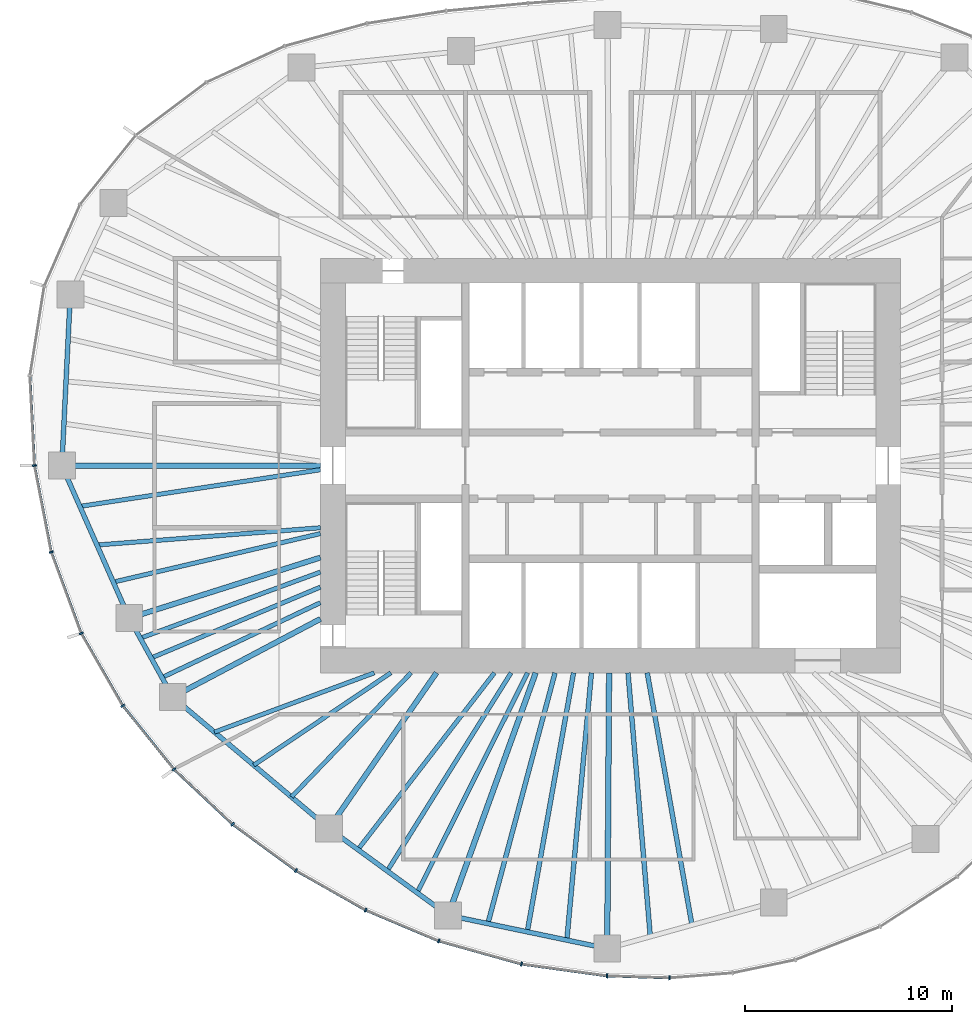
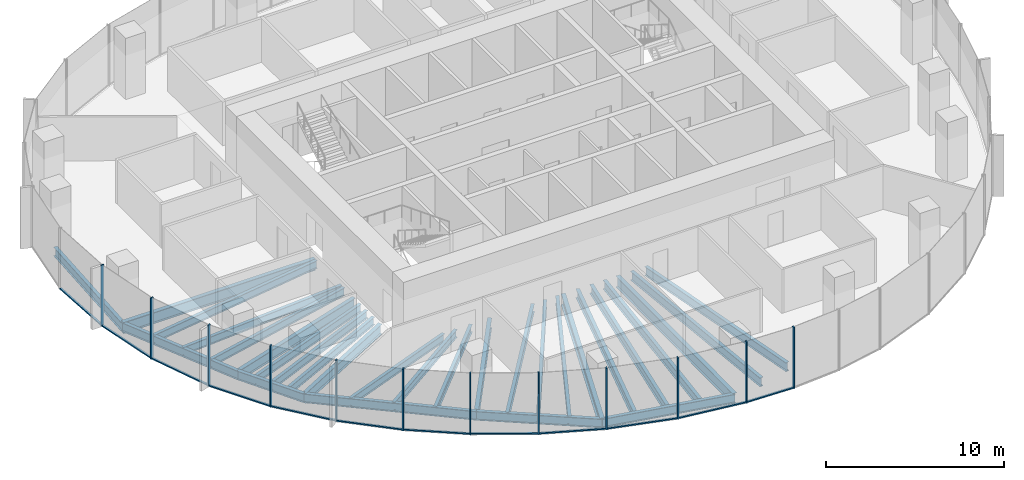
# One storey, part 2 of 11: 29 beams, 24 members, 7 elements without a shape of their own.
"""IFC4 building model written with IfcOpenShell, lengths in metres."""

from ifc_helpers import new_model, si_unit, direction, frame, origin, origin_2d, place, context, subcontext, project, spatial, rectangle, i_section, extrude, material, material_profile, profile_set, type_object, element, aggregate, save


model = new_model("IFC4")

# Units and contexts
model_context = context("Model", 3, precision=1e-05, world=origin(), true_north=direction((0.0, 1.0)))
body_context = subcontext(model_context, "Body", "Model", "MODEL_VIEW")
ifc_project = project(units=[si_unit("LENGTHUNIT", "METRE"), si_unit("AREAUNIT", "SQUARE_METRE"), si_unit("VOLUMEUNIT", "CUBIC_METRE"), si_unit("PLANEANGLEUNIT", "RADIAN"), si_unit("MASSUNIT", "GRAM", prefix="KILO")], contexts=[model_context])

# Site, building, storey
site_placement = place(None, origin())
site = spatial("IfcSite", under=ifc_project, at=site_placement, CompositionType="ELEMENT")
building_placement = place(site_placement, origin())
building = spatial("IfcBuilding", under=site, at=building_placement, Name="Ghaith Harvest Tower", CompositionType="ELEMENT")
storey_placement = place(building_placement, frame((0.0, 0.0, 220.0)))
storey = spatial("IfcBuildingStorey", under=building, at=storey_placement, Name="L48", CompositionType="ELEMENT", Elevation=220.0)

# Curtain wall, members
ifc_material_1 = material(Name="Black anodised aluminium and fritted glass", Category="aluminium")
curtain_wall_type = type_object("IfcCurtainWallType", Name="CW-H CURTAIN WALL", PredefinedType="NOTDEFINED", material=ifc_material_1)
curtain_wall_1_placement = place(storey_placement, origin())
curtain_wall_1 = element("IfcCurtainWall", 1, at=curtain_wall_1_placement, inside=storey, type_object=curtain_wall_type, Name="Curtain wall CW-H bay 11 L48", PredefinedType="NOTDEFINED")
ifc_material_2 = material(Name="Aluminium, black anodised", Category="aluminium")
ifc_material_profile_1 = material_profile(ifc_material_2, rectangle(XDim=0.080078125, YDim=0.199951171875, at=origin_2d()), Name="CW-H MULLION 80x200")
ifc_profile_set_1 = profile_set([ifc_material_profile_1], Name="Aluminium, black anodised")
member_type_1 = type_object("IfcMemberType", Name="CW-H MULLION 80x200", PredefinedType="MULLION", material=ifc_profile_set_1)
member_1_placement = place(storey_placement, frame((-27.794921875, 0.0, 0.0), z_axis=(0.0, 0.0, 1.0), x_axis=(0.12024996575, -0.992743645528, 0.0)))
member_1 = element("IfcMember", 2, at=member_1_placement, type_object=member_type_1, Name="CW-H mullion 1 bay 11 L48", PredefinedType="MULLION", context=body_context, shape_type="SweptSolid", body=[
    extrude(rectangle(XDim=0.080078125, YDim=0.199951171875, at=origin_2d()), origin(), (0.0, 0.0, 1.0), 4.199951171875),
])
member_2_placement = place(storey_placement, frame((-26.9853515625, -4.173828125, 0.0), z_axis=(0.0, 0.0, 1.0), x_axis=(0.268568830903, -0.963260495955, 0.0)))
member_2 = element("IfcMember", 3, at=member_2_placement, type_object=member_type_1, Name="CW-H mullion 2 bay 11 L48", PredefinedType="MULLION", context=body_context, shape_type="SweptSolid", body=[
    extrude(rectangle(XDim=0.080078125, YDim=0.199951171875, at=origin_2d()), origin(), (0.0, 0.0, 1.0), 4.199951171875),
])

curtain_wall_2_placement = place(storey_placement, origin())
curtain_wall_2 = element("IfcCurtainWall", 4, at=curtain_wall_2_placement, inside=storey, type_object=curtain_wall_type, Name="Curtain wall CW-H bay 12 L48", PredefinedType="NOTDEFINED")
member_3_placement = place(storey_placement, frame((-25.538330078125, -8.093505859375, 0.0), z_axis=(0.0, 0.0, 1.0), x_axis=(0.422308650185, -0.906452096903, 0.0)))
member_3 = element("IfcMember", 5, at=member_3_placement, type_object=member_type_1, Name="CW-H mullion 1 bay 12 L48", PredefinedType="MULLION", context=body_context, shape_type="SweptSolid", body=[
    extrude(rectangle(XDim=0.080078125, YDim=0.199951171875, at=origin_2d()), origin(), (0.0, 0.0, 1.0), 4.199951171875),
])
member_4_placement = place(storey_placement, frame((-23.533203125, -11.58349609375, 0.0), z_axis=(0.0, 0.0, 1.0), x_axis=(0.563616546013, -0.826036554312, 0.0)))
member_4 = element("IfcMember", 6, at=member_4_placement, type_object=member_type_1, Name="CW-H mullion 2 bay 12 L48", PredefinedType="MULLION", context=body_context, shape_type="SweptSolid", body=[
    extrude(rectangle(XDim=0.080078125, YDim=0.199951171875, at=origin_2d()), origin(), (0.0, 0.0, 1.0), 4.199951171875),
])

curtain_wall_3_placement = place(storey_placement, origin())
curtain_wall_3 = element("IfcCurtainWall", 7, at=curtain_wall_3_placement, inside=storey, type_object=curtain_wall_type, Name="Curtain wall CW-H bay 13 L48", PredefinedType="NOTDEFINED")
member_5_placement = place(storey_placement, frame((-21.0615234375, -14.65478515625, 0.0), z_axis=(0.0, 0.0, 1.0), x_axis=(0.679181589754, -0.733970277422, 0.0)))
member_5 = element("IfcMember", 8, at=member_5_placement, type_object=member_type_1, Name="CW-H mullion 1 bay 13 L48", PredefinedType="MULLION", context=body_context, shape_type="SweptSolid", body=[
    extrude(rectangle(XDim=0.080078125, YDim=0.199951171875, at=origin_2d()), origin(), (0.0, 0.0, 1.0), 4.199951171875),
])
member_6_placement = place(storey_placement, frame((-18.238037109375, -17.30615234375, 0.0), z_axis=(0.0, 0.0, 1.0), x_axis=(0.769216709506, -0.638987991919, 0.0)))
member_6 = element("IfcMember", 9, at=member_6_placement, type_object=member_type_1, Name="CW-H mullion 2 bay 13 L48", PredefinedType="MULLION", context=body_context, shape_type="SweptSolid", body=[
    extrude(rectangle(XDim=0.080078125, YDim=0.199951171875, at=origin_2d()), origin(), (0.0, 0.0, 1.0), 4.199951171875),
])

curtain_wall_4_placement = place(storey_placement, origin())
curtain_wall_4 = element("IfcCurtainWall", 10, at=curtain_wall_4_placement, inside=storey, type_object=curtain_wall_type, Name="Curtain wall CW-H bay 14 L48", PredefinedType="NOTDEFINED")
member_7_placement = place(storey_placement, frame((-15.177490234375, -19.542724609375, 0.0), z_axis=(0.0, 0.0, 1.0), x_axis=(0.840233591157, -0.5422245958, 0.0)))
member_7 = element("IfcMember", 11, at=member_7_placement, type_object=member_type_1, Name="CW-H mullion 1 bay 14 L48", PredefinedType="MULLION", context=body_context, shape_type="SweptSolid", body=[
    extrude(rectangle(XDim=0.080078125, YDim=0.199951171875, at=origin_2d()), origin(), (0.0, 0.0, 1.0), 4.199951171875),
])
member_8_placement = place(storey_placement, frame((-11.815185546875, -21.45068359375, 0.0), z_axis=(0.0, 0.0, 1.0), x_axis=(0.896852966189, -0.442328788389, 0.0)))
member_8 = element("IfcMember", 12, at=member_8_placement, type_object=member_type_1, Name="CW-H mullion 2 bay 14 L48", PredefinedType="MULLION", context=body_context, shape_type="SweptSolid", body=[
    extrude(rectangle(XDim=0.080078125, YDim=0.199951171875, at=origin_2d()), origin(), (0.0, 0.0, 1.0), 4.199951171875),
])

curtain_wall_5_placement = place(storey_placement, origin())
curtain_wall_5 = element("IfcCurtainWall", 13, at=curtain_wall_5_placement, inside=storey, type_object=curtain_wall_type, Name="Curtain wall CW-H bay 15 L48", PredefinedType="NOTDEFINED")
member_9_placement = place(storey_placement, frame((-8.285888671875, -22.941650390625, 0.0), z_axis=(0.0, 0.0, 1.0), x_axis=(0.944906041636, -0.327341675439, 0.0)))
member_9 = element("IfcMember", 14, at=member_9_placement, type_object=member_type_1, Name="CW-H mullion 1 bay 15 L48", PredefinedType="MULLION", context=body_context, shape_type="SweptSolid", body=[
    extrude(rectangle(XDim=0.080078125, YDim=0.199951171875, at=origin_2d()), origin(), (0.0, 0.0, 1.0), 4.199951171875),
])
member_10_placement = place(storey_placement, frame((-4.2958984375, -24.0556640625, 0.0), z_axis=(0.0, 0.0, 1.0), x_axis=(0.979161388311, -0.203083666601, 0.0)))
member_10 = element("IfcMember", 15, at=member_10_placement, type_object=member_type_1, Name="CW-H mullion 2 bay 15 L48", PredefinedType="MULLION", context=body_context, shape_type="SweptSolid", body=[
    extrude(rectangle(XDim=0.080078125, YDim=0.199951171875, at=origin_2d()), origin(), (0.0, 0.0, 1.0), 4.199951171875),
])

curtain_wall_6_placement = place(storey_placement, origin())
curtain_wall_6 = element("IfcCurtainWall", 16, at=curtain_wall_6_placement, inside=storey, type_object=curtain_wall_type, Name="Curtain wall CW-H bay 16 L48", PredefinedType="NOTDEFINED")
member_11_placement = place(storey_placement, frame((-0.16845703125, -24.625244140625, 0.0), z_axis=(0.0, 0.0, 1.0), x_axis=(0.99568459113, -0.092801912617, 0.0)))
member_11 = element("IfcMember", 17, at=member_11_placement, type_object=member_type_1, Name="CW-H mullion 1 bay 16 L48", PredefinedType="MULLION", context=body_context, shape_type="SweptSolid", body=[
    extrude(rectangle(XDim=0.080078125, YDim=0.199951171875, at=origin_2d()), origin(), (0.0, 0.0, 1.0), 4.199951171875),
])
member_12_placement = place(storey_placement, frame((2.84765625, -24.721435546875, 0.0), z_axis=(0.0, 0.0, 1.0), x_axis=(0.999724413906, 0.02347543907, 0.0)))
member_12 = element("IfcMember", 18, at=member_12_placement, type_object=member_type_1, Name="CW-H mullion 2 bay 16 L48", PredefinedType="MULLION", context=body_context, shape_type="SweptSolid", body=[
    extrude(rectangle(XDim=0.080078125, YDim=0.199951171875, at=origin_2d()), origin(), (0.0, 0.0, 1.0), 4.199951171875),
])

# Curtain wall, member
curtain_wall_7_placement = place(storey_placement, origin())
curtain_wall_7 = element("IfcCurtainWall", 19, at=curtain_wall_7_placement, inside=storey, type_object=curtain_wall_type, Name="Curtain wall CW-H bay 10 L48", PredefinedType="NOTDEFINED")
ifc_material_3 = material(Name="Aluminium, black anodised", Category="aluminium")
ifc_material_profile_2 = material_profile(ifc_material_3, rectangle(XDim=0.1298828125, YDim=0.080078125, at=origin_2d()), Name="CW-H TRANSOM 130x80")
ifc_profile_set_2 = profile_set([ifc_material_profile_2], Name="Aluminium, black anodised")
member_type_2 = type_object("IfcMemberType", Name="CW-H TRANSOM 130x80", PredefinedType="USERDEFINED", material=ifc_profile_set_2)
member_13_placement = place(storey_placement, frame((-28.013671875, 4.293212890625, 0.0400390625), z_axis=(0.05084969311, -0.998706317548, 0.0), x_axis=(0.998706317548, 0.05084969311, 0.0)))
member_13 = element("IfcMember", 20, at=member_13_placement, type_object=member_type_2, Name="CW-H transom 2 bay 10 L48", ObjectType="TRANSOM", PredefinedType="USERDEFINED", context=body_context, shape_type="SweptSolid", body=[
    extrude(rectangle(XDim=0.1298828125, YDim=0.080078125, at=origin_2d()), origin(), (0.0, 0.0, 1.0), 4.2587890625),
])
aggregate(curtain_wall_7, [member_13])

# Member
member_14_placement = place(storey_placement, frame((-27.787353515625, -0.039306640625, 0.0400390625), z_axis=(0.190440428338, -0.981698753821, 0.0), x_axis=(0.981698753821, 0.190440428338, 0.0)))
member_14 = element("IfcMember", 21, at=member_14_placement, type_object=member_type_2, Name="CW-H transom 1 bay 11 L48", ObjectType="TRANSOM", PredefinedType="USERDEFINED", context=body_context, shape_type="SweptSolid", body=[
    extrude(rectangle(XDim=0.1298828125, YDim=0.080078125, at=origin_2d()), origin(), (0.0, 0.0, 1.0), 4.171630859375),
])

member_15_placement = place(storey_placement, frame((-26.971435546875, -4.21142578125, 0.0400390625), z_axis=(0.346287782987, -0.93812833416, 0.0), x_axis=(0.93812833416, 0.346287782987, 0.0)))
member_15 = element("IfcMember", 22, at=member_15_placement, type_object=member_type_2, Name="CW-H transom 2 bay 11 L48", ObjectType="TRANSOM", PredefinedType="USERDEFINED", context=body_context, shape_type="SweptSolid", body=[
    extrude(rectangle(XDim=0.1298828125, YDim=0.080078125, at=origin_2d()), origin(), (0.0, 0.0, 1.0), 4.098388671875),
])

aggregate(curtain_wall_1, [member_1, member_14, member_2, member_15])

member_16_placement = place(storey_placement, frame((-25.5185546875, -8.128173828125, 0.0400390625), z_axis=(0.498176929488, -0.86707539864, 0.0), x_axis=(0.86707539864, 0.498176929488, 0.0)))
member_16 = element("IfcMember", 23, at=member_16_placement, type_object=member_type_2, Name="CW-H transom 1 bay 12 L48", ObjectType="TRANSOM", PredefinedType="USERDEFINED", context=body_context, shape_type="SweptSolid", body=[
    extrude(rectangle(XDim=0.1298828125, YDim=0.080078125, at=origin_2d()), origin(), (0.0, 0.0, 1.0), 3.945068359375),
])

member_17_placement = place(storey_placement, frame((-23.508056640625, -11.61474609375, 0.0400390625), z_axis=(0.626958878139, -0.779052350694, 0.0), x_axis=(0.779052350694, 0.626958878139, 0.0)))
member_17 = element("IfcMember", 24, at=member_17_placement, type_object=member_type_2, Name="CW-H transom 2 bay 12 L48", ObjectType="TRANSOM", PredefinedType="USERDEFINED", context=body_context, shape_type="SweptSolid", body=[
    extrude(rectangle(XDim=0.1298828125, YDim=0.080078125, at=origin_2d()), origin(), (0.0, 0.0, 1.0), 3.862060546875),
])

aggregate(curtain_wall_2, [member_3, member_16, member_4, member_17])

member_18_placement = place(storey_placement, frame((-21.032470703125, -14.68212890625, 0.0400390625), z_axis=(0.729025183709, -0.684486874613, 0.0), x_axis=(0.684486874613, 0.729025183709, 0.0)))
member_18 = element("IfcMember", 25, at=member_18_placement, type_object=member_type_2, Name="CW-H transom 1 bay 13 L48", ObjectType="TRANSOM", PredefinedType="USERDEFINED", context=body_context, shape_type="SweptSolid", body=[
    extrude(rectangle(XDim=0.1298828125, YDim=0.080078125, at=origin_2d()), origin(), (0.0, 0.0, 1.0), 3.793212890625),
])

member_19_placement = place(storey_placement, frame((-18.20556640625, -17.32958984375, 0.0400390625), z_axis=(0.807368217185, -0.590047931849, 0.0), x_axis=(0.590047931849, 0.807368217185, 0.0)))
member_19 = element("IfcMember", 26, at=member_19_placement, type_object=member_type_2, Name="CW-H transom 2 bay 13 L48", ObjectType="TRANSOM", PredefinedType="USERDEFINED", context=body_context, shape_type="SweptSolid", body=[
    extrude(rectangle(XDim=0.1298828125, YDim=0.080078125, at=origin_2d()), origin(), (0.0, 0.0, 1.0), 3.710693359375),
])

aggregate(curtain_wall_3, [member_5, member_18, member_6, member_19])

member_20_placement = place(storey_placement, frame((-15.142822265625, -19.5625, 0.0400390625), z_axis=(0.869735291487, -0.493518513068, 0.0), x_axis=(0.493518513068, 0.869735291487, 0.0)))
member_20 = element("IfcMember", 27, at=member_20_placement, type_object=member_type_2, Name="CW-H transom 1 bay 14 L48", ObjectType="TRANSOM", PredefinedType="USERDEFINED", context=body_context, shape_type="SweptSolid", body=[
    extrude(rectangle(XDim=0.1298828125, YDim=0.080078125, at=origin_2d()), origin(), (0.0, 0.0, 1.0), 3.785888671875),
])

member_21_placement = place(storey_placement, frame((-11.7783203125, -21.46630859375, 0.0400390625), z_axis=(0.921182691948, -0.38913037411, 0.0), x_axis=(0.38913037411, 0.921182691948, 0.0)))
member_21 = element("IfcMember", 28, at=member_21_placement, type_object=member_type_2, Name="CW-H transom 2 bay 14 L48", ObjectType="TRANSOM", PredefinedType="USERDEFINED", context=body_context, shape_type="SweptSolid", body=[
    extrude(rectangle(XDim=0.1298828125, YDim=0.080078125, at=origin_2d()), origin(), (0.0, 0.0, 1.0), 3.751220703125),
])

aggregate(curtain_wall_4, [member_7, member_20, member_8, member_21])

member_22_placement = place(storey_placement, frame((-8.24755859375, -22.952392578125, 0.0400390625), z_axis=(0.963164092269, -0.268914356932, 0.0), x_axis=(0.268914356932, 0.963164092269, 0.0)))
member_22 = element("IfcMember", 29, at=member_22_placement, type_object=member_type_2, Name="CW-H transom 1 bay 15 L48", ObjectType="TRANSOM", PredefinedType="USERDEFINED", context=body_context, shape_type="SweptSolid", body=[
    extrude(rectangle(XDim=0.1298828125, YDim=0.080078125, at=origin_2d()), origin(), (0.0, 0.0, 1.0), 4.062744140625),
])

member_23_placement = place(storey_placement, frame((-4.25634765625, -24.06103515625, 0.0400390625), z_axis=(0.990605228149, -0.136752630555, 0.0), x_axis=(0.136752630555, 0.990605228149, 0.0)))
member_23 = element("IfcMember", 30, at=member_23_placement, type_object=member_type_2, Name="CW-H transom 2 bay 15 L48", ObjectType="TRANSOM", PredefinedType="USERDEFINED", context=body_context, shape_type="SweptSolid", body=[
    extrude(rectangle(XDim=0.1298828125, YDim=0.080078125, at=origin_2d()), origin(), (0.0, 0.0, 1.0), 4.08642578125),
])

aggregate(curtain_wall_5, [member_9, member_22, member_10, member_23])

member_24_placement = place(storey_placement, frame((-0.128662109375, -24.62646484375, 0.0400390625), z_axis=(0.999490770233, -0.031909249731, 0.0), x_axis=(0.031909249731, 0.999490770233, 0.0)))
member_24 = element("IfcMember", 31, at=member_24_placement, type_object=member_type_2, Name="CW-H transom 1 bay 16 L48", ObjectType="TRANSOM", PredefinedType="USERDEFINED", context=body_context, shape_type="SweptSolid", body=[
    extrude(rectangle(XDim=0.1298828125, YDim=0.080078125, at=origin_2d()), origin(), (0.0, 0.0, 1.0), 2.93798828125),
])

aggregate(curtain_wall_6, [member_11, member_24, member_12])

# Beams
ifc_material_4 = material(Name="Steel ASTM A992 Grade 50", Category="steel")
ifc_material_profile_3 = material_profile(ifc_material_4, i_section(OverallWidth=0.22900390625, OverallDepth=0.612060546875, WebThickness=0.011962890625, FlangeThickness=0.01953125, at=origin_2d()), Name="W610X125")
ifc_profile_set_3 = profile_set([ifc_material_profile_3], Name="Steel ASTM A992 Grade 50")
beam_type_1 = type_object("IfcBeamType", Name="E610-125 W610X125", PredefinedType="SPANDREL", material=ifc_profile_set_3)
beam_1_placement = place(storey_placement, frame((-26.06689453125, 8.260986328125, -0.47607421875), z_axis=(-0.049353148492, -0.998781390863, 0.0), x_axis=(0.998781390863, -0.049353148492, 0.0)))
element("IfcBeam", 32, at=beam_1_placement, inside=storey, type_object=beam_type_1, Name="Edge beam E10 L48", PredefinedType="SPANDREL", context=body_context, shape_type="SweptSolid", body=[
    extrude(i_section(OverallWidth=0.22900390625, OverallDepth=0.612060546875, WebThickness=0.011962890625, FlangeThickness=0.01953125, at=origin_2d()), origin(), (0.0, 0.0, 1.0), 8.27099609375),
])
beam_2_placement = place(storey_placement, frame((-26.47509765625, 0.0, -0.47607421875), z_axis=(0.404042817399, -0.914740073304, 0.0), x_axis=(0.914740073304, 0.404042817399, 0.0)))
element("IfcBeam", 33, at=beam_2_placement, inside=storey, type_object=beam_type_1, Name="Edge beam E11 L48", PredefinedType="SPANDREL", context=body_context, shape_type="SweptSolid", body=[
    extrude(i_section(OverallWidth=0.22900390625, OverallDepth=0.612060546875, WebThickness=0.011962890625, FlangeThickness=0.01953125, at=origin_2d()), origin(), (0.0, 0.0, 1.0), 8.046142578125),
])
beam_3_placement = place(storey_placement, frame((-23.22412109375, -7.360107421875, -0.47607421875), z_axis=(0.482955575345, -0.875644855089, 0.0), x_axis=(0.875644855089, 0.482955575345, 0.0)))
element("IfcBeam", 34, at=beam_3_placement, inside=storey, type_object=beam_type_1, Name="Edge beam E12 L48", PredefinedType="SPANDREL", context=body_context, shape_type="SweptSolid", body=[
    extrude(i_section(OverallWidth=0.22900390625, OverallDepth=0.612060546875, WebThickness=0.011962890625, FlangeThickness=0.01953125, at=origin_2d()), origin(), (0.0, 0.0, 1.0), 4.346435546875),
])
beam_4_placement = place(storey_placement, frame((-21.125, -11.166015625, -0.47607421875), z_axis=(0.765021818761, -0.64400436087, 0.0), x_axis=(0.64400436087, 0.765021818761, 0.0)))
element("IfcBeam", 35, at=beam_4_placement, inside=storey, type_object=beam_type_1, Name="Edge beam E13 L48", PredefinedType="SPANDREL", context=body_context, shape_type="SweptSolid", body=[
    extrude(i_section(OverallWidth=0.22900390625, OverallDepth=0.612060546875, WebThickness=0.011962890625, FlangeThickness=0.01953125, at=origin_2d()), origin(), (0.0, 0.0, 1.0), 9.8427734375),
])
beam_5_placement = place(storey_placement, frame((-13.594970703125, -17.5048828125, -0.47607421875), z_axis=(0.808194782503, -0.588915268553, 0.0), x_axis=(0.588915268553, 0.808194782503, 0.0)))
element("IfcBeam", 36, at=beam_5_placement, inside=storey, type_object=beam_type_1, Name="Edge beam E14 L48", PredefinedType="SPANDREL", context=body_context, shape_type="SweptSolid", body=[
    extrude(i_section(OverallWidth=0.22900390625, OverallDepth=0.612060546875, WebThickness=0.011962890625, FlangeThickness=0.01953125, at=origin_2d()), origin(), (0.0, 0.0, 1.0), 7.123291015625),
])
beam_6_placement = place(storey_placement, frame((-7.837890625, -21.699951171875, -0.47607421875), z_axis=(0.978847910797, -0.20458926543, 0.0), x_axis=(0.20458926543, 0.978847910797, 0.0)))
element("IfcBeam", 37, at=beam_6_placement, inside=storey, type_object=beam_type_1, Name="Edge beam E15 L48", PredefinedType="SPANDREL", context=body_context, shape_type="SweptSolid", body=[
    extrude(i_section(OverallWidth=0.22900390625, OverallDepth=0.612060546875, WebThickness=0.011962890625, FlangeThickness=0.01953125, at=origin_2d()), origin(), (0.0, 0.0, 1.0), 7.844970703125),
])
ifc_material_5 = material(Name="Steel ASTM A992 Grade 50", Category="steel")
ifc_material_profile_4 = material_profile(ifc_material_5, i_section(OverallWidth=0.256103515625, OverallDepth=0.693115234375, WebThickness=0.014404296875, FlangeThickness=0.023681640625, at=origin_2d()), Name="W690X170")
ifc_profile_set_4 = profile_set([ifc_material_profile_4], Name="Steel ASTM A992 Grade 50")
beam_type_2 = type_object("IfcBeamType", Name="G690-170 W690X170", PredefinedType="BEAM", material=ifc_profile_set_4)
beam_7_placement = place(storey_placement, frame((-14.0, -4.43701171875, -0.5166015625), z_axis=(-0.953279028151, -0.302091202267, 0.0), x_axis=(0.302091202267, -0.953279028151, 0.0)))
element("IfcBeam", 38, at=beam_7_placement, inside=storey, type_object=beam_type_2, Name="Radial girder G12 L48", PredefinedType="BEAM", context=body_context, shape_type="SweptSolid", body=[
    extrude(i_section(OverallWidth=0.256103515625, OverallDepth=0.693115234375, WebThickness=0.014404296875, FlangeThickness=0.023681640625, at=origin_2d()), origin(), (0.0, 0.0, 1.0), 9.67626953125),
])
beam_8_placement = place(storey_placement, frame((-14.0, -7.39990234375, -0.5166015625), z_axis=(-0.88409279474, -0.46731138472, 0.0), x_axis=(0.46731138472, -0.88409279474, 0.0)))
element("IfcBeam", 39, at=beam_8_placement, inside=storey, type_object=beam_type_2, Name="Radial girder G13 L48", PredefinedType="BEAM", context=body_context, shape_type="SweptSolid", body=[
    extrude(i_section(OverallWidth=0.256103515625, OverallDepth=0.693115234375, WebThickness=0.014404296875, FlangeThickness=0.023681640625, at=origin_2d()), origin(), (0.0, 0.0, 1.0), 8.05908203125),
])
beam_9_placement = place(storey_placement, frame((-8.39990234375, -10.0, -0.5166015625), z_axis=(-0.569164078909, -0.822223966617, 0.0), x_axis=(0.822223966617, -0.569164078909, 0.0)))
element("IfcBeam", 40, at=beam_9_placement, inside=storey, type_object=beam_type_2, Name="Radial girder G14 L48", PredefinedType="BEAM", context=body_context, shape_type="SweptSolid", body=[
    extrude(i_section(OverallWidth=0.256103515625, OverallDepth=0.693115234375, WebThickness=0.014404296875, FlangeThickness=0.023681640625, at=origin_2d()), origin(), (0.0, 0.0, 1.0), 9.12744140625),
])
ifc_material_6 = material(Name="Steel ASTM A992 Grade 50", Category="steel")
ifc_material_profile_5 = material_profile(ifc_material_6, i_section(OverallWidth=0.26806640625, OverallDepth=0.77001953125, WebThickness=0.015625, FlangeThickness=0.025390625, at=origin_2d()), Name="W760X196")
ifc_profile_set_5 = profile_set([ifc_material_profile_5], Name="Steel ASTM A992 Grade 50")
beam_type_3 = type_object("IfcBeamType", Name="G760-196 W760X196", PredefinedType="BEAM", material=ifc_profile_set_5)
beam_10_placement = place(storey_placement, frame((-14.0, 0.0, -0.554931640625), z_axis=(-1.0, 0.0, 0.0), x_axis=(0.0, -1.0, 0.0)))
element("IfcBeam", 41, at=beam_10_placement, inside=storey, type_object=beam_type_3, Name="Radial girder G11 L48", PredefinedType="BEAM", context=body_context, shape_type="SweptSolid", body=[
    extrude(i_section(OverallWidth=0.26806640625, OverallDepth=0.77001953125, WebThickness=0.015625, FlangeThickness=0.025390625, at=origin_2d()), origin(), (0.0, 0.0, 1.0), 12.47509765625),
])
beam_11_placement = place(storey_placement, frame((-3.61181640625, -10.0, -0.554931640625), z_axis=(-0.339722108335, -0.940525857756, 0.0), x_axis=(0.940525857756, -0.339722108335, 0.0)))
element("IfcBeam", 42, at=beam_11_placement, inside=storey, type_object=beam_type_3, Name="Radial girder G15 L48", PredefinedType="BEAM", context=body_context, shape_type="SweptSolid", body=[
    extrude(i_section(OverallWidth=0.26806640625, OverallDepth=0.77001953125, WebThickness=0.015625, FlangeThickness=0.025390625, at=origin_2d()), origin(), (0.0, 0.0, 1.0), 12.439697265625),
])
beam_12_placement = place(storey_placement, frame((-0.068359375, -10.0, -0.554931640625), z_axis=(-0.00680755644, -0.999976828319, 0.0), x_axis=(0.999976828319, -0.00680755644, 0.0)))
element("IfcBeam", 43, at=beam_12_placement, inside=storey, type_object=beam_type_3, Name="Radial girder G16 L48", PredefinedType="BEAM", context=body_context, shape_type="SweptSolid", body=[
    extrude(i_section(OverallWidth=0.26806640625, OverallDepth=0.77001953125, WebThickness=0.015625, FlangeThickness=0.025390625, at=origin_2d()), origin(), (0.0, 0.0, 1.0), 13.30517578125),
])
ifc_material_7 = material(Name="Steel ASTM A992 Grade 50", Category="steel")
ifc_material_profile_6 = material_profile(ifc_material_7, i_section(OverallWidth=0.2109375, OverallDepth=0.5390625, WebThickness=0.01171875, FlangeThickness=0.018798828125, at=origin_2d()), Name="W530X109")
ifc_profile_set_6 = profile_set([ifc_material_profile_6], Name="Steel ASTM A992 Grade 50")
beam_type_4 = type_object("IfcBeamType", Name="J530-109 W530X109", PredefinedType="JOIST", material=ifc_profile_set_6)
beam_13_placement = place(storey_placement, frame((-14.0, -0.199951171875, -0.439453125), z_axis=(-0.988587077715, -0.150650555178, 0.0), x_axis=(0.150650555178, -0.988587077715, 0.0)))
element("IfcBeam", 44, at=beam_13_placement, inside=storey, type_object=beam_type_4, Name="Joist J11.1 L48", PredefinedType="JOIST", context=body_context, shape_type="SweptSolid", body=[
    extrude(i_section(OverallWidth=0.2109375, OverallDepth=0.5390625, WebThickness=0.01171875, FlangeThickness=0.018798828125, at=origin_2d()), origin(), (0.0, 0.0, 1.0), 11.739501953125),
])
beam_14_placement = place(storey_placement, frame((-14.0, -3.0, -0.439453125), z_axis=(-0.997028799301, -0.077029691443, 0.0), x_axis=(0.077029691443, -0.997028799301, 0.0)))
element("IfcBeam", 45, at=beam_14_placement, inside=storey, type_object=beam_type_4, Name="Joist J11.2 L48", PredefinedType="JOIST", context=body_context, shape_type="SweptSolid", body=[
    extrude(i_section(OverallWidth=0.2109375, OverallDepth=0.5390625, WebThickness=0.01171875, FlangeThickness=0.018798828125, at=origin_2d()), origin(), (0.0, 0.0, 1.0), 10.814208984375),
])
beam_15_placement = place(storey_placement, frame((-14.0, -3.280517578125, -0.439453125), z_axis=(-0.97362176086, -0.22816806696, 0.0), x_axis=(0.22816806696, -0.97362176086, 0.0)))
element("IfcBeam", 46, at=beam_15_placement, inside=storey, type_object=beam_type_4, Name="Joist J11.3 L48", PredefinedType="JOIST", context=body_context, shape_type="SweptSolid", body=[
    extrude(i_section(OverallWidth=0.2109375, OverallDepth=0.5390625, WebThickness=0.01171875, FlangeThickness=0.018798828125, at=origin_2d()), origin(), (0.0, 0.0, 1.0), 10.262451171875),
])
beam_16_placement = place(storey_placement, frame((-5.60009765625, -10.0, -0.439453125), z_axis=(-0.611412687895, -0.791311901264, 0.0), x_axis=(0.791311901264, -0.611412687895, 0.0)))
element("IfcBeam", 47, at=beam_16_placement, inside=storey, type_object=beam_type_4, Name="Joist J14.1 L48", PredefinedType="JOIST", context=body_context, shape_type="SweptSolid", body=[
    extrude(i_section(OverallWidth=0.2109375, OverallDepth=0.5390625, WebThickness=0.01171875, FlangeThickness=0.018798828125, at=origin_2d()), origin(), (0.0, 0.0, 1.0), 10.778076171875),
])
beam_17_placement = place(storey_placement, frame((-4.800048828125, -10.0, -0.439453125), z_axis=(-0.529921073682, -0.848046965484, 0.0), x_axis=(0.848046965484, -0.529921073682, 0.0)))
element("IfcBeam", 48, at=beam_17_placement, inside=storey, type_object=beam_type_4, Name="Joist J14.2 L48", PredefinedType="JOIST", context=body_context, shape_type="SweptSolid", body=[
    extrude(i_section(OverallWidth=0.2109375, OverallDepth=0.5390625, WebThickness=0.01171875, FlangeThickness=0.018798828125, at=origin_2d()), origin(), (0.0, 0.0, 1.0), 11.273681640625),
])
beam_18_placement = place(storey_placement, frame((-4.0, -10.0, -0.439453125), z_axis=(-0.448791718068, -0.893636387908, 0.0), x_axis=(0.893636387908, -0.448791718068, 0.0)))
element("IfcBeam", 49, at=beam_18_placement, inside=storey, type_object=beam_type_4, Name="Joist J14.3 L48", PredefinedType="JOIST", context=body_context, shape_type="SweptSolid", body=[
    extrude(i_section(OverallWidth=0.2109375, OverallDepth=0.5390625, WebThickness=0.01171875, FlangeThickness=0.018798828125, at=origin_2d()), origin(), (0.0, 0.0, 1.0), 11.8759765625),
])
ifc_material_8 = material(Name="Steel ASTM A992 Grade 50", Category="steel")
ifc_material_profile_7 = material_profile(ifc_material_8, i_section(OverallWidth=0.208984375, OverallDepth=0.532958984375, WebThickness=0.01025390625, FlangeThickness=0.015625, at=origin_2d()), Name="W530X92")
ifc_profile_set_7 = profile_set([ifc_material_profile_7], Name="Steel ASTM A992 Grade 50")
beam_type_5 = type_object("IfcBeamType", Name="J530-92 W530X92", PredefinedType="JOIST", material=ifc_profile_set_7)
beam_19_placement = place(storey_placement, frame((-14.0, -5.137939453125, -0.4365234375), z_axis=(-0.93877284801, -0.34453670318, 0.0), x_axis=(0.34453670318, -0.93877284801, 0.0)))
element("IfcBeam", 50, at=beam_19_placement, inside=storey, type_object=beam_type_5, Name="Joist J12.1 L48", PredefinedType="JOIST", context=body_context, shape_type="SweptSolid", body=[
    extrude(i_section(OverallWidth=0.208984375, OverallDepth=0.532958984375, WebThickness=0.01025390625, FlangeThickness=0.015625, at=origin_2d()), origin(), (0.0, 0.0, 1.0), 9.25732421875),
])
beam_20_placement = place(storey_placement, frame((-14.0, -5.862548828125, -0.4365234375), z_axis=(-0.922387515293, -0.386265804377, 0.0), x_axis=(0.386265804377, -0.922387515293, 0.0)))
element("IfcBeam", 51, at=beam_20_placement, inside=storey, type_object=beam_type_5, Name="Joist J12.2 L48", PredefinedType="JOIST", context=body_context, shape_type="SweptSolid", body=[
    extrude(i_section(OverallWidth=0.208984375, OverallDepth=0.532958984375, WebThickness=0.01025390625, FlangeThickness=0.015625, at=origin_2d()), origin(), (0.0, 0.0, 1.0), 8.851318359375),
])
beam_21_placement = place(storey_placement, frame((-14.0, -6.614990234375, -0.4365234375), z_axis=(-0.90415786724, -0.427198491462, 0.0), x_axis=(0.427198491462, -0.90415786724, 0.0)))
element("IfcBeam", 52, at=beam_21_placement, inside=storey, type_object=beam_type_5, Name="Joist J12.3 L48", PredefinedType="JOIST", context=body_context, shape_type="SweptSolid", body=[
    extrude(i_section(OverallWidth=0.208984375, OverallDepth=0.532958984375, WebThickness=0.01025390625, FlangeThickness=0.015625, at=origin_2d()), origin(), (0.0, 0.0, 1.0), 8.45361328125),
])
beam_22_placement = place(storey_placement, frame((-11.39990234375, -10.0, -0.4365234375), z_axis=(-0.937594001899, -0.34773191916, 0.0), x_axis=(0.34773191916, -0.937594001899, 0.0)))
element("IfcBeam", 53, at=beam_22_placement, inside=storey, type_object=beam_type_5, Name="Joist J13.1 L48", PredefinedType="JOIST", context=body_context, shape_type="SweptSolid", body=[
    extrude(i_section(OverallWidth=0.208984375, OverallDepth=0.532958984375, WebThickness=0.01025390625, FlangeThickness=0.015625, at=origin_2d()), origin(), (0.0, 0.0, 1.0), 8.225830078125),
])
beam_23_placement = place(storey_placement, frame((-10.60009765625, -10.0, -0.4365234375), z_axis=(-0.829594017544, -0.55836705316, 0.0), x_axis=(0.55836705316, -0.829594017544, 0.0)))
element("IfcBeam", 54, at=beam_23_placement, inside=storey, type_object=beam_type_5, Name="Joist J13.2 L48", PredefinedType="JOIST", context=body_context, shape_type="SweptSolid", body=[
    extrude(i_section(OverallWidth=0.208984375, OverallDepth=0.532958984375, WebThickness=0.01025390625, FlangeThickness=0.015625, at=origin_2d()), origin(), (0.0, 0.0, 1.0), 7.977783203125),
])
beam_24_placement = place(storey_placement, frame((-9.626708984375, -10.0, -0.4365234375), z_axis=(-0.693546892509, -0.720411485119, 0.0), x_axis=(0.720411485119, -0.693546892509, 0.0)))
element("IfcBeam", 55, at=beam_24_placement, inside=storey, type_object=beam_type_5, Name="Joist J13.3 L48", PredefinedType="JOIST", context=body_context, shape_type="SweptSolid", body=[
    extrude(i_section(OverallWidth=0.208984375, OverallDepth=0.532958984375, WebThickness=0.01025390625, FlangeThickness=0.015625, at=origin_2d()), origin(), (0.0, 0.0, 1.0), 8.3154296875),
])
ifc_material_9 = material(Name="Steel ASTM A992 Grade 50", Category="steel")
ifc_material_profile_8 = material_profile(ifc_material_9, i_section(OverallWidth=0.22900390625, OverallDepth=0.612060546875, WebThickness=0.011962890625, FlangeThickness=0.01953125, at=origin_2d()), Name="W610X125")
ifc_profile_set_8 = profile_set([ifc_material_profile_8], Name="Steel ASTM A992 Grade 50")
beam_type_6 = type_object("IfcBeamType", Name="J610-125 W610X125", PredefinedType="JOIST", material=ifc_profile_set_8)
beam_25_placement = place(storey_placement, frame((-2.677978515625, -10.0, -0.47607421875), z_axis=(-0.258683807585, -0.965962052926, 0.0), x_axis=(0.965962052926, -0.258683807585, 0.0)))
element("IfcBeam", 56, at=beam_25_placement, inside=storey, type_object=beam_type_6, Name="Joist J15.1 L48", PredefinedType="JOIST", context=body_context, shape_type="SweptSolid", body=[
    extrude(i_section(OverallWidth=0.22900390625, OverallDepth=0.612060546875, WebThickness=0.011962890625, FlangeThickness=0.01953125, at=origin_2d()), origin(), (0.0, 0.0, 1.0), 12.52783203125),
])
beam_26_placement = place(storey_placement, frame((-1.785888671875, -10.0, -0.47607421875), z_axis=(-0.17579463172, -0.984426862422, 0.0), x_axis=(0.984426862422, -0.17579463172, 0.0)))
element("IfcBeam", 57, at=beam_26_placement, inside=storey, type_object=beam_type_6, Name="Joist J15.2 L48", PredefinedType="JOIST", context=body_context, shape_type="SweptSolid", body=[
    extrude(i_section(OverallWidth=0.22900390625, OverallDepth=0.612060546875, WebThickness=0.011962890625, FlangeThickness=0.01953125, at=origin_2d()), origin(), (0.0, 0.0, 1.0), 12.6962890625),
])
beam_27_placement = place(storey_placement, frame((-0.92041015625, -10.0, -0.47607421875), z_axis=(-0.091645483251, -0.995791697796, 0.0), x_axis=(0.995791697796, -0.091645483251, 0.0)))
element("IfcBeam", 58, at=beam_27_placement, inside=storey, type_object=beam_type_6, Name="Joist J15.3 L48", PredefinedType="JOIST", context=body_context, shape_type="SweptSolid", body=[
    extrude(i_section(OverallWidth=0.22900390625, OverallDepth=0.612060546875, WebThickness=0.011962890625, FlangeThickness=0.01953125, at=origin_2d()), origin(), (0.0, 0.0, 1.0), 12.9521484375),
])
beam_28_placement = place(storey_placement, frame((0.844970703125, -10.0, -0.47607421875), z_axis=(0.084217590158, -0.996447388229, 0.0), x_axis=(0.996447388229, 0.084217590158, 0.0)))
element("IfcBeam", 59, at=beam_28_placement, inside=storey, type_object=beam_type_6, Name="Joist J16.1 L48", PredefinedType="JOIST", context=body_context, shape_type="SweptSolid", body=[
    extrude(i_section(OverallWidth=0.22900390625, OverallDepth=0.612060546875, WebThickness=0.011962890625, FlangeThickness=0.01953125, at=origin_2d()), origin(), (0.0, 0.0, 1.0), 12.772705078125),
])
beam_29_placement = place(storey_placement, frame((1.772705078125, -10.0, -0.47607421875), z_axis=(0.174551600477, -0.984648027861, 0.0), x_axis=(0.984648027861, 0.174551600477, 0.0)))
element("IfcBeam", 60, at=beam_29_placement, inside=storey, type_object=beam_type_6, Name="Joist J16.2 L48", PredefinedType="JOIST", context=body_context, shape_type="SweptSolid", body=[
    extrude(i_section(OverallWidth=0.22900390625, OverallDepth=0.612060546875, WebThickness=0.011962890625, FlangeThickness=0.01953125, at=origin_2d()), origin(), (0.0, 0.0, 1.0), 12.358642578125),
])

save(model, "model.ifc")
